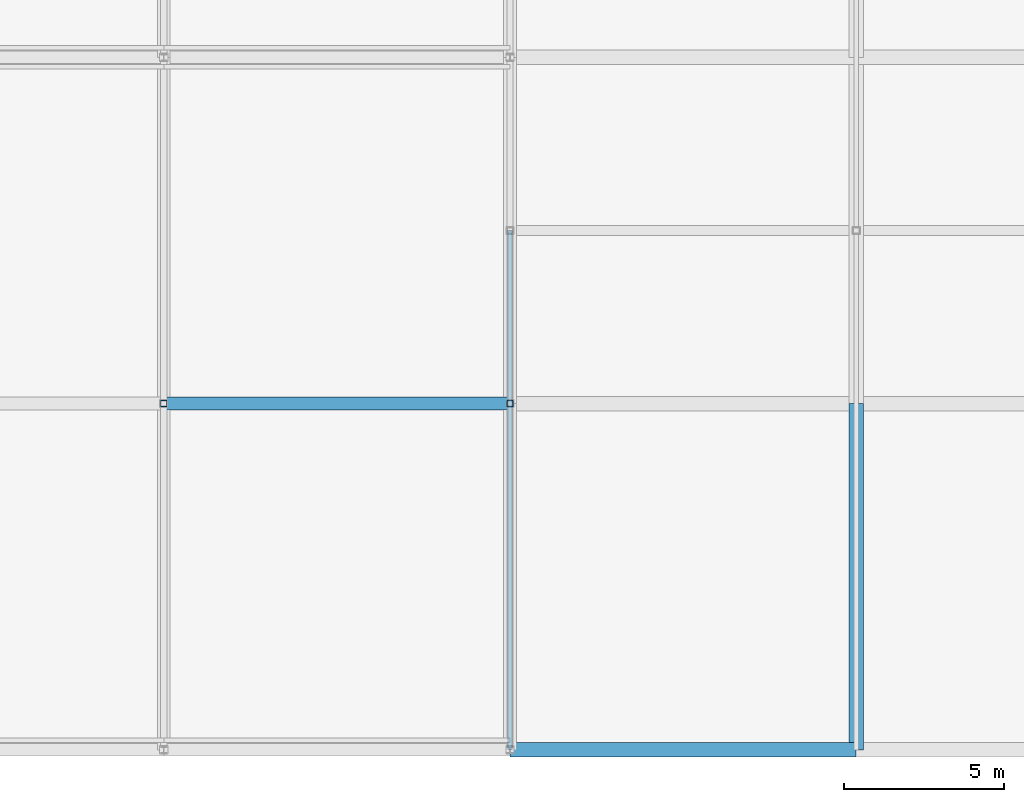
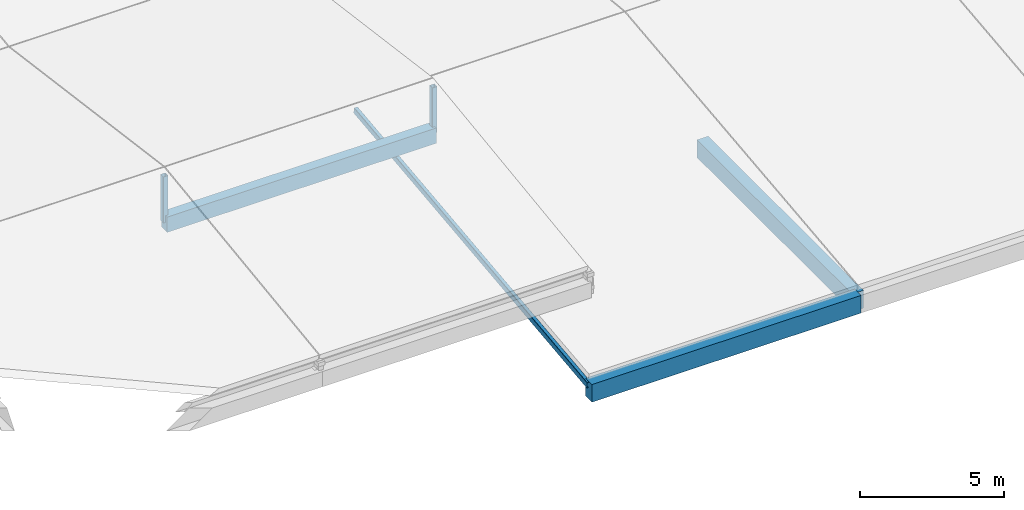
# One storey, part 52 of 112: 3 beams, 3 members.
"""IFC4 building model written with IfcOpenShell, lengths in metres."""

from ifc_helpers import new_model, si_unit, direction, frame, origin, origin_2d, place, context, subcontext, project, spatial, rectangle, hollow_rectangle, extrude, material, material_profile, profile_set, type_object, element, save


model = new_model("IFC4")

# Units and contexts
model_context = context("Model", 3, precision=1e-05, world=origin(), true_north=direction((0.0, 1.0)))
body_context = subcontext(model_context, "Body", "Model", "MODEL_VIEW")
ifc_project = project(units=[si_unit("LENGTHUNIT", "METRE"), si_unit("AREAUNIT", "SQUARE_METRE"), si_unit("VOLUMEUNIT", "CUBIC_METRE"), si_unit("PLANEANGLEUNIT", "RADIAN"), si_unit("MASSUNIT", "GRAM", prefix="KILO")], contexts=[model_context])

# Site, building, storey
site_placement = place(None, origin())
site = spatial("IfcSite", under=ifc_project, at=site_placement, CompositionType="ELEMENT")
building_placement = place(site_placement, origin())
building = spatial("IfcBuilding", under=site, at=building_placement, Name="Zwinboog Wholesale Market", CompositionType="ELEMENT")
storey_placement = place(building_placement, frame((0.0, 0.0, 19.080078125)))
storey = spatial("IfcBuildingStorey", under=building, at=storey_placement, Name="Roof", CompositionType="ELEMENT", Elevation=19.080078125)

# Beams
ifc_material_1 = material(Name="Precast concrete C45/55", Category="concrete")
ifc_material_profile_1 = material_profile(ifc_material_1, rectangle(XDim=0.449951171875, YDim=0.75, at=origin_2d()), Name="PC 450x750")
ifc_profile_set_1 = profile_set([ifc_material_profile_1], Name="Precast concrete C45/55")
beam_type_1 = type_object("IfcBeamType", Name="BT-04", PredefinedType="BEAM", material=ifc_profile_set_1)
for number, where, z_axis, x_axis, name in (
    (1, (172.800048828125, 0.0, -4.695068359375), (1.0, 0.0, 0.0), (0.0, 1.0, 0.0), "BG-04 (BMG-Roof-1728-0000-1259)"),
    (2, (183.60009765625, 0.0, -4.695068359375), (0.0, 1.0, 0.0), (-1.0, 0.0, 0.0), "BG-04 (BMG-Roof-1836-0000-1275)"),
):
    element("IfcBeam", number, at=place(storey_placement, frame(where, z_axis=z_axis, x_axis=x_axis)), inside=storey, type_object=beam_type_1, Name=name, PredefinedType="BEAM", context=body_context, shape_type="SweptSolid", body=[
        extrude(rectangle(XDim=0.449951171875, YDim=0.75, at=origin_2d()), origin(), (0.0, 0.0, 1.0), 10.800048828125),
    ])
ifc_material_profile_2 = material_profile(ifc_material_1, rectangle(XDim=0.39990234375, YDim=0.64990234375, at=origin_2d()), Name="PC 400x650")
ifc_profile_set_2 = profile_set([ifc_material_profile_2], Name="Precast concrete C45/55")
beam_type_2 = type_object("IfcBeamType", Name="BT-05", PredefinedType="BEAM", material=ifc_profile_set_2)
beam_placement = place(storey_placement, frame((162.0, 10.800048828125, -0.3251953125), z_axis=(1.0, 0.0, 0.0), x_axis=(0.0, 1.0, 0.0)))
element("IfcBeam", 3, at=beam_placement, inside=storey, type_object=beam_type_2, Name="BG-05 (BMG-Roof-1620-0108-1299)", PredefinedType="BEAM", context=body_context, shape_type="SweptSolid", body=[
    extrude(rectangle(XDim=0.39990234375, YDim=0.64990234375, at=origin_2d()), origin(), (0.0, 0.0, 1.0), 10.800048828125),
])

# Members
ifc_material_2 = material(Name="Steel S355", Category="steel")
ifc_material_profile_3 = material_profile(ifc_material_2, hollow_rectangle(XDim=0.14990234375, YDim=0.25, WallThickness=0.010009765625, InnerFilletRadius=0.010009765625, OuterFilletRadius=0.02001953125, at=origin_2d()), Name="RHS 250x150x10")
ifc_profile_set_3 = profile_set([ifc_material_profile_3], Name="Steel S355")
member_type_1 = type_object("IfcMemberType", Name="MT-02", PredefinedType="CHORD", material=ifc_profile_set_3)
member_placement = place(storey_placement, frame((172.800048828125, 0.0, -4.469970703125), z_axis=(0.0, 0.993612545096, 0.11284551488), x_axis=(-1.0, 0.0, 0.0)))
element("IfcMember", 4, at=member_placement, inside=storey, type_object=member_type_1, Name="DC-02 (MEM-Roof-0885)", PredefinedType="CHORD", context=body_context, shape_type="SweptSolid", body=[
    extrude(hollow_rectangle(XDim=0.14990234375, YDim=0.25, WallThickness=0.010009765625, InnerFilletRadius=0.010009765625, OuterFilletRadius=0.02001953125, at=origin_2d()), origin(), (0.0, 0.0, 1.0), 16.30419921875),
])
ifc_material_profile_4 = material_profile(ifc_material_2, hollow_rectangle(XDim=0.199951171875, YDim=0.199951171875, WallThickness=0.010009765625, InnerFilletRadius=0.010009765625, OuterFilletRadius=0.02001953125, at=origin_2d()), Name="SHS 200x200x10")
ifc_profile_set_4 = profile_set([ifc_material_profile_4], Name="Steel S355")
member_type_2 = type_object("IfcMemberType", Name="MT-04", PredefinedType="BRACE", material=ifc_profile_set_4)
for number, where, z_axis, x_axis, name in (
    (5, (162.0, 10.800048828125, -0.280029296875), (0.0, 0.0, 1.0), (1.0, 0.0, 0.0), "DB-01 (MEM-Roof-0919)"),
    (6, (172.800048828125, 10.800048828125, -0.280029296875), (0.0, 0.0, 1.0), (1.0, 0.0, 0.0), "DB-01 (MEM-Roof-0924)"),
):
    element("IfcMember", number, at=place(storey_placement, frame(where, z_axis=z_axis, x_axis=x_axis)), inside=storey, type_object=member_type_2, Name=name, PredefinedType="BRACE", context=body_context, shape_type="SweptSolid", body=[
        extrude(hollow_rectangle(XDim=0.199951171875, YDim=0.199951171875, WallThickness=0.010009765625, InnerFilletRadius=0.010009765625, OuterFilletRadius=0.02001953125, at=origin_2d()), origin(), (0.0, 0.0, 1.0), 1.949951171875),
    ])

save(model, "model.ifc")
